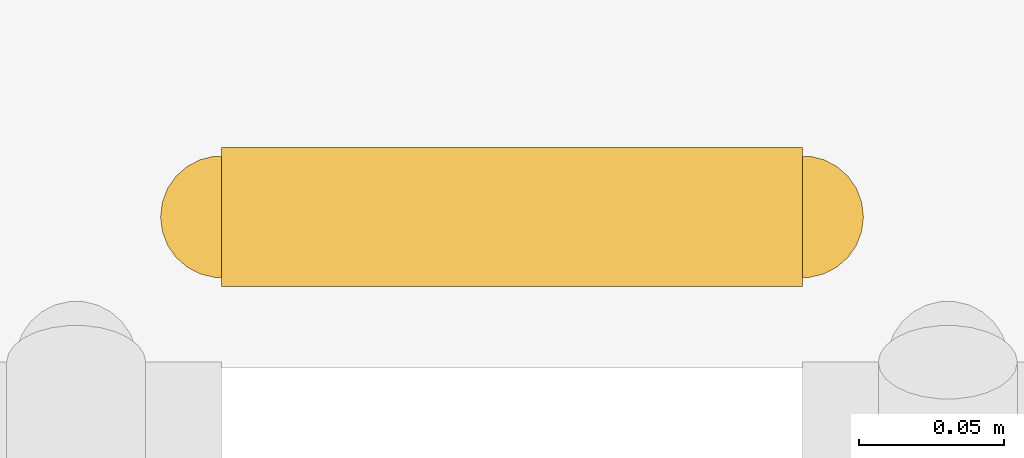
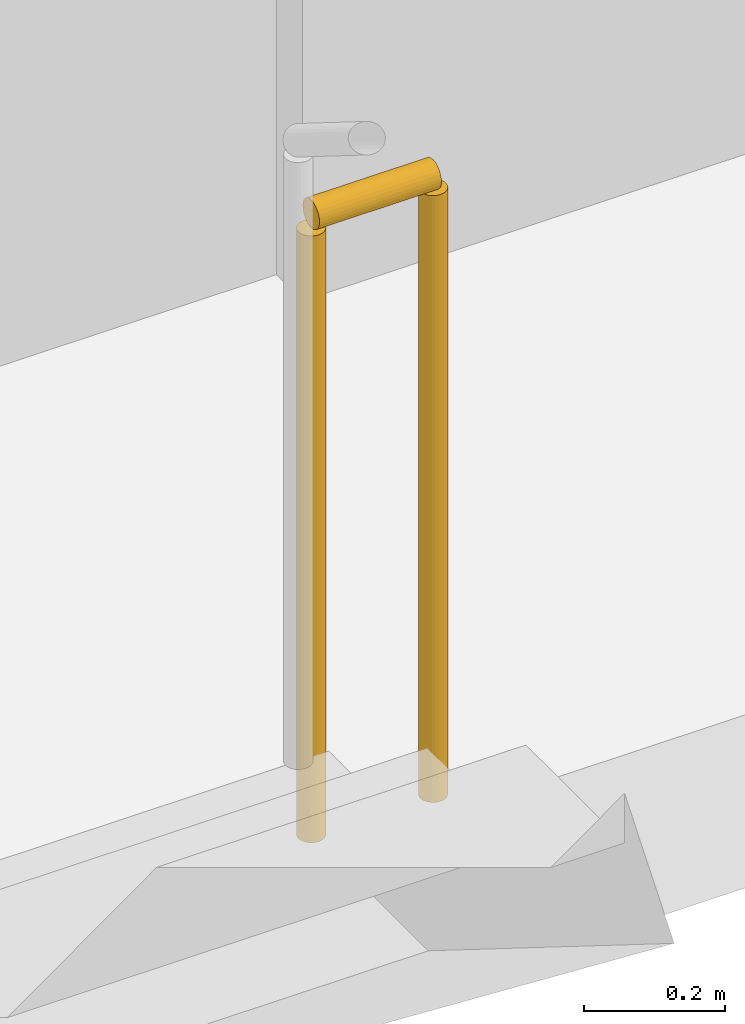
# One storey, part 22 of 22: 1 railing.
"""IFC4 building model written with IfcOpenShell, lengths in metres."""

from ifc_helpers import new_model, si_unit, direction, frame, origin, origin_2d, place, context, subcontext, project, spatial, circle, extrude, material, type_object, element, save


model = new_model("IFC4")

# Units and contexts
model_context = context("Model", 3, precision=1e-05, world=origin(), true_north=direction((0.0, 1.0)))
body_context = subcontext(model_context, "Body", "Model", "MODEL_VIEW")
ifc_project = project(units=[si_unit("LENGTHUNIT", "METRE"), si_unit("AREAUNIT", "SQUARE_METRE"), si_unit("VOLUMEUNIT", "CUBIC_METRE"), si_unit("PLANEANGLEUNIT", "RADIAN"), si_unit("MASSUNIT", "GRAM", prefix="KILO")], contexts=[model_context])

# Site, building, storey
site_placement = place(None, origin())
site = spatial("IfcSite", under=ifc_project, at=site_placement, CompositionType="ELEMENT")
building_placement = place(site_placement, origin())
building = spatial("IfcBuilding", under=site, at=building_placement, Name="Kiln Ring Residences", CompositionType="ELEMENT")
storey_placement = place(building_placement, frame((0.0, 0.0, 44.5)))
storey = spatial("IfcBuildingStorey", under=building, at=storey_placement, Name="L10", CompositionType="ELEMENT", Elevation=44.5)

# Railing
ifc_material = material(Name="Stainless steel", Category="steel")
railing_type = type_object("IfcRailingType", Name="CORE-STAIR-GUARD", PredefinedType="GUARDRAIL", material=ifc_material)
railing_placement = place(storey_placement, frame((22.0, 8.449951171875, 0.0)))
element("IfcRailing", 1, at=railing_placement, inside=storey, type_object=railing_type, Name="L10 E-STN stair guard 4", PredefinedType="GUARDRAIL", context=body_context, shape_type="SweptSolid", body=[
    extrude(circle(Radius=0.02392578125, at=origin_2d()), frame((0.0, 0.0, 1.076171875), z_axis=(1.0, 0.0, 0.0), x_axis=(0.0, 1.0, 0.0)), (0.0, 0.0, 1.0), 0.199951171875),
    extrude(circle(Radius=0.02099609375, at=origin_2d()), origin(), (0.0, 0.0, 1.0), 1.052001953125),
    extrude(circle(Radius=0.02099609375, at=origin_2d()), frame((0.199951171875, 0.0, 0.0)), (0.0, 0.0, 1.0), 1.052001953125),
])

save(model, "model.ifc")
